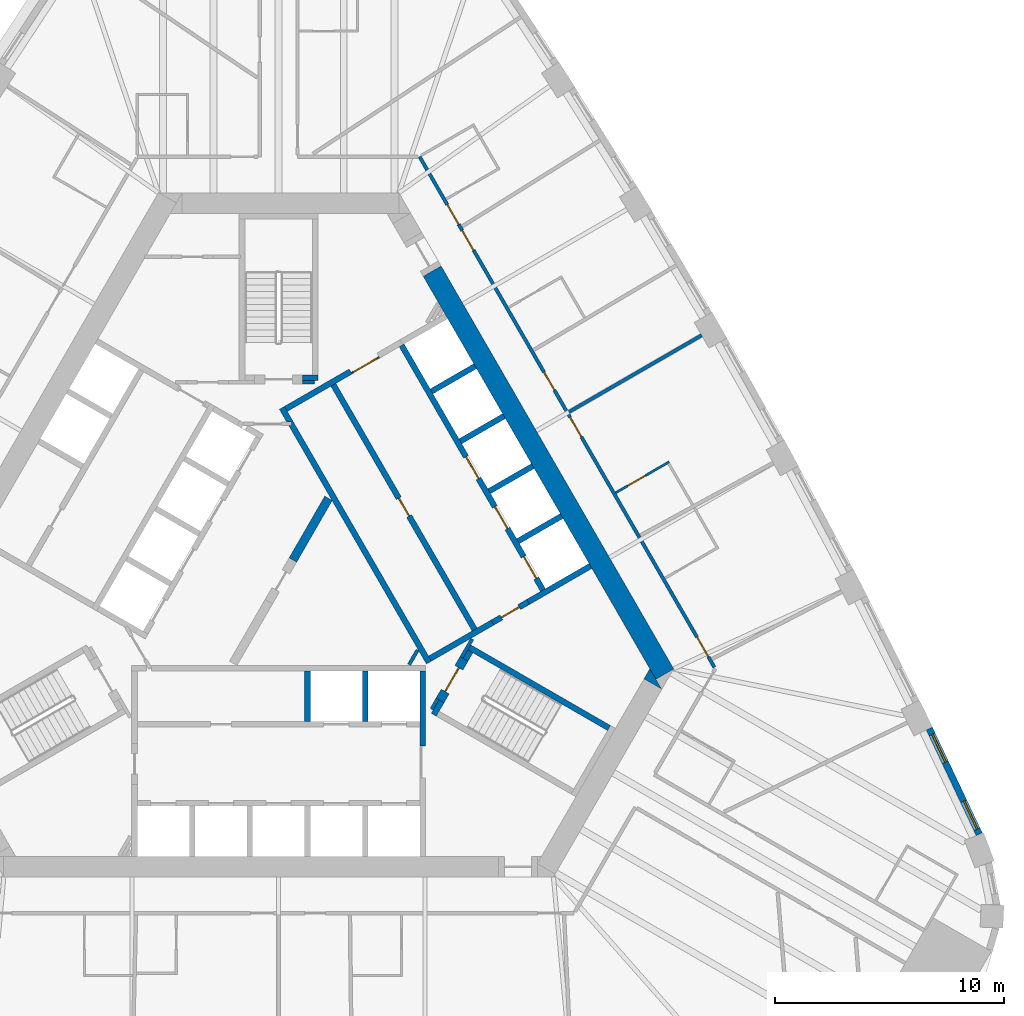
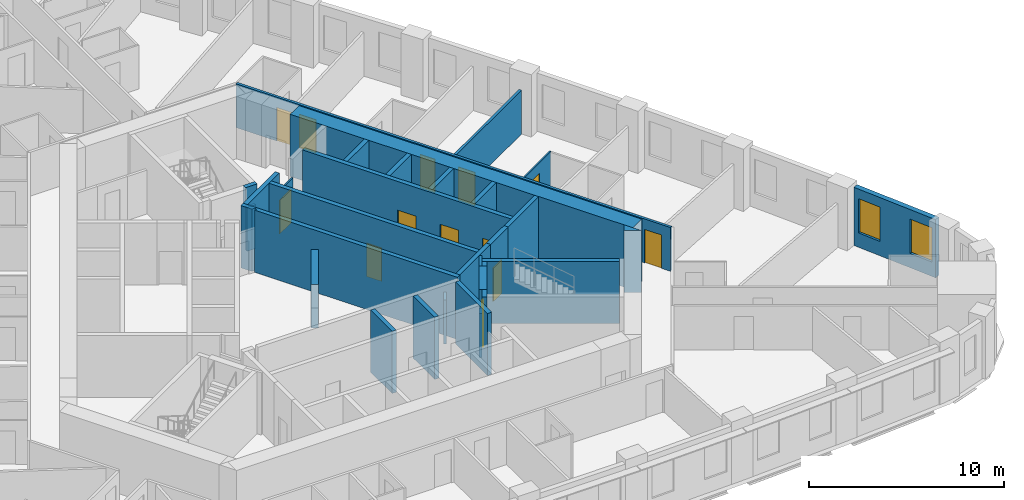
# One storey, part 8 of 12: 31 walls, 13 doors, 2 windows, 15 openings.
"""IFC4 building model written with IfcOpenShell, lengths in metres."""

from ifc_helpers import new_model, si_unit, direction, frame, frame_2d, origin, place, context, subcontext, project, spatial, polyline, rectangle, outline, extrude, material, layer, layer_set, type_object, element, fill, save


model = new_model("IFC4")

# Units and contexts
model_context = context("Model", 3, precision=1e-05, world=origin(), true_north=direction((0.0, 1.0)))
body_context = subcontext(model_context, "Body", "Model", "MODEL_VIEW")
ifc_project = project(units=[si_unit("LENGTHUNIT", "METRE"), si_unit("AREAUNIT", "SQUARE_METRE"), si_unit("VOLUMEUNIT", "CUBIC_METRE"), si_unit("PLANEANGLEUNIT", "RADIAN"), si_unit("MASSUNIT", "GRAM", prefix="KILO")], contexts=[model_context])

# Site, building, storey
site_placement = place(None, origin())
site = spatial("IfcSite", under=ifc_project, at=site_placement, CompositionType="ELEMENT")
building_placement = place(site_placement, origin())
building = spatial("IfcBuilding", under=site, at=building_placement, Name="Mestral Congress Tower", CompositionType="ELEMENT")
storey_placement = place(building_placement, frame((0.0, 0.0, 107.10009765625)))
storey = spatial("IfcBuildingStorey", under=building, at=storey_placement, Name="L25", CompositionType="ELEMENT", Elevation=107.10009765625)

# Walls
ifc_material_1 = material(Name="Fire-rated board partition")
ifc_layer_1 = layer(ifc_material_1, 0.14990234375)
ifc_layer_set_1 = layer_set([ifc_layer_1], Name="Fire-rated board partition")
wall_type_1 = type_object("IfcWallType", Name="Core partition 150", PredefinedType="PARTITIONING", material=ifc_layer_set_1)
wall_1_placement = place(storey_placement, frame((6.94482421875, -5.22216796875, 0.0), z_axis=(0.0, 0.0, 1.0), x_axis=(-0.499818422106, -0.866130212453, 0.0)))
element("IfcWall", 1, at=wall_1_placement, inside=storey, type_object=wall_type_1, Name="L25 core wall", PredefinedType="PARTITIONING", context=body_context, shape_type="SweptSolid", body=[
    extrude(rectangle(XDim=0.513916015625, YDim=0.14990234375, at=frame_2d((0.2568359375, 0.0))), origin(), (0.0, 0.0, 1.0), 2.75),
])
wall_2_placement = place(storey_placement, frame((5.704833984375, -3.718017578125, 0.0), z_axis=(0.0, 0.0, 1.0), x_axis=(0.499962090823, 0.866047289552, 0.0)))
element("IfcWall", 2, at=wall_2_placement, inside=storey, type_object=wall_type_1, Name="L25 core wall", PredefinedType="PARTITIONING", context=body_context, shape_type="SweptSolid", body=[
    extrude(rectangle(XDim=0.73486328125, YDim=0.14990234375, at=frame_2d((0.367431640625, 0.0))), origin(), (0.0, 0.0, 1.0), 2.75),
])
placement = place(storey_placement, origin())
element("IfcWall", 3, at=placement, inside=storey, type_object=wall_type_1, Name="L25 core wall", PredefinedType="PARTITIONING", context=body_context, shape_type="SweptSolid", body=[
    extrude(outline(polyline([(2.016845703125, 3.64306640625), (2.341552734375, 3.45556640625), (0.784912109375, 0.759521484375), (0.460205078125, 0.947021484375), (2.016845703125, 3.64306640625)])), origin(), (0.0, 0.0, 1.0), 2.75),
])
wall_4_placement = place(storey_placement, frame((1.050048828125, 8.62548828125, 0.0), z_axis=(0.0, 0.0, 1.0), x_axis=(1.0, 0.0, 0.0)))
element("IfcWall", 4, at=wall_4_placement, inside=storey, type_object=wall_type_1, Name="L25 core wall", PredefinedType="PARTITIONING", context=body_context, shape_type="SweptSolid", body=[
    extrude(rectangle(XDim=0.513916015625, YDim=0.14990234375, at=frame_2d((0.2568359375, 0.0))), origin(), (0.0, 0.0, 1.0), 2.75),
])

# Wall, opening, door
ifc_layer_2 = layer(ifc_material_1, 0.090087890625)
ifc_layer_set_2 = layer_set([ifc_layer_2], Name="Fire-rated board partition")
wall_type_2 = type_object("IfcWallType", Name="Core partition 150 door-wall 90", PredefinedType="PARTITIONING", material=ifc_layer_set_2)
wall_5_placement = place(storey_placement, frame((3.182861328125, 9.02001953125, 0.0), z_axis=(0.0, 0.0, 1.0), x_axis=(0.866034573852, 0.49998411664, 0.0)))
wall_5 = element("IfcWall", 5, at=wall_5_placement, inside=storey, type_object=wall_type_2, Name="L25 door wall", PredefinedType="PARTITIONING", context=body_context, shape_type="SweptSolid", body=[
    extrude(rectangle(XDim=1.39990234375, YDim=0.090087890625, at=frame_2d((0.699951171875, 0.0))), origin(), (0.0, 0.0, 1.0), 2.75),
])
opening_1_placement = place(wall_5_placement, frame((0.10009765625, 0.0, 0.0)))
opening_1 = element("IfcOpeningElement", 6, at=opening_1_placement, cuts=wall_5, Name="Opening LB1-WL2", PredefinedType="OPENING", context=body_context, shape_type="SweptSolid", body=[
    extrude(rectangle(XDim=1.199951171875, YDim=2.10009765625, at=frame_2d((0.60009765625, 1.050048828125))), frame((0.0, 0.054931640625, 0.0), z_axis=(0.0, -1.0, 0.0), x_axis=(1.0, 0.0, 0.0)), (0.0, 0.0, 1.0), 0.110107421875),
])
ifc_material_2 = material(Name="Fire-rated steel door set", Category="steel")
door_type_1 = type_object("IfcDoorType", Name="Core door LB 1200x2100", OperationType="SINGLE_SWING_LEFT", PredefinedType="DOOR", material=ifc_material_2)
door_1_placement = place(opening_1_placement, origin())
door_1 = element("IfcDoor", 7, at=door_1_placement, inside=storey, type_object=door_type_1, Name="Door LB1-WL2", OperationType="SINGLE_SWING_LEFT", OverallHeight=2.10009765625, OverallWidth=1.199951171875, PredefinedType="DOOR", context=body_context, shape_type="SweptSolid", body=[
    extrude(rectangle(XDim=1.199951171875, YDim=2.10009765625, at=frame_2d((0.60009765625, 1.050048828125))), frame((0.0, 0.02490234375, 0.0), z_axis=(0.0, -1.0, 0.0), x_axis=(1.0, 0.0, 0.0)), (0.0, 0.0, 1.0), 0.050048828125),
])
fill(opening_1, door_1)

# Walls
ifc_material_3 = material(Name="Concrete C60/75", Category="concrete")
ifc_layer_3 = layer(ifc_material_3, 0.89990234375)
ifc_layer_set_3 = layer_set([ifc_layer_3], Name="Concrete C60/75")
wall_type_3 = type_object("IfcWallType", Name="Core wall RC 900", PredefinedType="SOLIDWALL", material=ifc_layer_set_3)
wall_6_placement = place(storey_placement, frame((6.7109375, 13.476318359375, 0.0), z_axis=(0.0, 0.0, 1.0), x_axis=(0.500002723396, -0.866023831425, 0.0)))
element("IfcWall", 8, at=wall_6_placement, inside=storey, type_object=wall_type_3, Name="L25 core wall", PredefinedType="SOLIDWALL", context=body_context, shape_type="SweptSolid", body=[
    extrude(rectangle(XDim=20.333984375, YDim=0.89990234375, at=frame_2d((10.1669921875, 0.0))), origin(), (0.0, 0.0, 1.0), 3.89990234375),
])
element("IfcWall", 9, at=placement, inside=storey, type_object=wall_type_3, Name="L25 core wall", PredefinedType="SOLIDWALL", context=body_context, shape_type="SweptSolid", body=[
    extrude(outline(polyline([(16.223388671875, -3.900146484375), (16.731689453125, -4.780029296875), (15.969482421875, -4.340087890625), (16.223388671875, -3.900146484375)])), origin(), (0.0, 0.0, 1.0), 3.89990234375),
])

# Wall, openings, windows
ifc_material_4 = material(Name="Precast concrete C40/50 with limestone facing", Category="masonry")
ifc_layer_4 = layer(ifc_material_4, 0.2900390625)
ifc_layer_set_4 = layer_set([ifc_layer_4], Name="Precast concrete C40/50 with limestone facing")
wall_type_4 = type_object("IfcWallType", Name="Facade stone wall 290", PredefinedType="SOLIDWALL", material=ifc_layer_set_4)
wall_8_placement = place(storey_placement, frame((30.61962890625, -11.127197265625, 0.0), z_axis=(0.0, 0.0, 1.0), x_axis=(-0.427543726596, 0.903994669148, 0.0)))
wall_8 = element("IfcWall", 10, at=wall_8_placement, inside=storey, type_object=wall_type_4, Name="Facade wall F1-00", PredefinedType="SOLIDWALL", context=body_context, shape_type="SweptSolid", body=[
    extrude(rectangle(XDim=5.106689453125, YDim=0.2900390625, at=frame_2d((2.55322265625, 0.0))), origin(), (0.0, 0.0, 1.0), 3.64990234375),
])
opening_2_placement = place(wall_8_placement, frame((0.240478515625, 0.0, 0.89990234375)))
opening_2 = element("IfcOpeningElement", 11, at=opening_2_placement, cuts=wall_8, Name="Opening W2", PredefinedType="OPENING", context=body_context, shape_type="SweptSolid", body=[
    extrude(rectangle(XDim=1.35009765625, YDim=2.14990234375, at=frame_2d((0.675048828125, 1.074951171875))), frame((0.0, 0.155029296875, 0.0), z_axis=(0.0, -1.0, 0.0), x_axis=(1.0, 0.0, 0.0)), (0.0, 0.0, 1.0), 0.31005859375),
])
opening_3_placement = place(wall_8_placement, frame((3.47119140625, 0.0, 0.89990234375)))
opening_3 = element("IfcOpeningElement", 12, at=opening_3_placement, cuts=wall_8, Name="Opening W2", PredefinedType="OPENING", context=body_context, shape_type="SweptSolid", body=[
    extrude(rectangle(XDim=1.35009765625, YDim=2.14990234375, at=frame_2d((0.675048828125, 1.074951171875))), frame((0.0, 0.155029296875, 0.0), z_axis=(0.0, -1.0, 0.0), x_axis=(1.0, 0.0, 0.0)), (0.0, 0.0, 1.0), 0.31005859375),
])
ifc_material_5 = material(Name="Clear low-emissivity double glazing", Category="glass")
window_type = type_object("IfcWindowType", Name="Facade punched window 1350 x 2150 sill 900", PartitioningType="DOUBLE_PANEL_VERTICAL", PredefinedType="WINDOW", material=ifc_material_5)
window_1_placement = place(opening_2_placement, origin())
window_1 = element("IfcWindow", 13, at=window_1_placement, inside=storey, type_object=window_type, Name="Window F1-00a", OverallHeight=2.14990234375, OverallWidth=1.35009765625, PartitioningType="DOUBLE_PANEL_VERTICAL", PredefinedType="WINDOW", context=body_context, shape_type="SweptSolid", body=[
    extrude(rectangle(XDim=1.35009765625, YDim=2.14990234375, at=frame_2d((0.675048828125, 1.074951171875))), frame((0.0, 0.01513671875, 0.0), z_axis=(0.0, -1.0, 0.0), x_axis=(1.0, 0.0, 0.0)), (0.0, 0.0, 1.0), 0.06005859375),
])
fill(opening_2, window_1)
window_2_placement = place(opening_3_placement, origin())
window_2 = element("IfcWindow", 14, at=window_2_placement, inside=storey, type_object=window_type, Name="Window F1-00b", OverallHeight=2.14990234375, OverallWidth=1.35009765625, PartitioningType="DOUBLE_PANEL_VERTICAL", PredefinedType="WINDOW", context=body_context, shape_type="SweptSolid", body=[
    extrude(rectangle(XDim=1.35009765625, YDim=2.14990234375, at=frame_2d((0.675048828125, 1.074951171875))), frame((0.0, 0.01513671875, 0.0), z_axis=(0.0, -1.0, 0.0), x_axis=(1.0, 0.0, 0.0)), (0.0, 0.0, 1.0), 0.06005859375),
])
fill(opening_3, window_2)

# Wall, opening, door
ifc_material_6 = material(Name="Gypsum board partition on metal studs with mineral wool", Category="composite")
ifc_layer_5 = layer(ifc_material_6, 0.10009765625)
ifc_layer_set_5 = layer_set([ifc_layer_5], Name="Gypsum board partition on metal studs with mineral wool")
wall_type_5 = type_object("IfcWallType", Name="Hotel partition wall 100", PredefinedType="PARTITIONING", material=ifc_layer_set_5)
wall_9_placement = place(storey_placement, frame((17.065673828125, 5.141357421875, 0.0), z_axis=(0.0, 0.0, 1.0), x_axis=(-0.866059108428, -0.4999416173, 0.0)))
wall_9 = element("IfcWall", 15, at=wall_9_placement, inside=storey, type_object=wall_type_5, Name="L25-h-pod11a", PredefinedType="PARTITIONING", context=body_context, shape_type="SweptSolid", body=[
    extrude(rectangle(XDim=2.699951171875, YDim=0.10009765625, at=frame_2d((1.35009765625, 0.0))), origin(), (0.0, 0.0, 1.0), 2.75),
])
opening_4_placement = place(wall_9_placement, frame((1.199951171875, 0.0, 0.0)))
opening_4 = element("IfcOpeningElement", 16, at=opening_4_placement, cuts=wall_9, Name="Opening H08-019", PredefinedType="OPENING", context=body_context, shape_type="SweptSolid", body=[
    extrude(rectangle(XDim=0.89990234375, YDim=2.10009765625, at=frame_2d((0.449951171875, 1.050048828125))), frame((0.0, 0.06005859375, 0.0), z_axis=(0.0, -1.0, 0.0), x_axis=(1.0, 0.0, 0.0)), (0.0, 0.0, 1.0), 0.1201171875),
])
ifc_material_7 = material(Name="Timber veneer door leaf in timber frame", Category="wood")
door_type_2 = type_object("IfcDoorType", Name="Bathroom door 900", OperationType="SINGLE_SWING_LEFT", PredefinedType="DOOR", material=ifc_material_7)
door_2_placement = place(opening_4_placement, origin())
door_2 = element("IfcDoor", 17, at=door_2_placement, inside=storey, type_object=door_type_2, Name="L25-h-d019", OperationType="SINGLE_SWING_LEFT", OverallHeight=2.10009765625, OverallWidth=0.89990234375, PredefinedType="DOOR", context=body_context, shape_type="SweptSolid", body=[
    extrude(rectangle(XDim=0.89990234375, YDim=2.10009765625, at=frame_2d((0.449951171875, 1.050048828125))), frame((0.0, 0.02490234375, 0.0), z_axis=(0.0, -1.0, 0.0), x_axis=(1.0, 0.0, 0.0)), (0.0, 0.0, 1.0), 0.050048828125),
])
fill(opening_4, door_2)

# Wall, openings, doors
ifc_layer_6 = layer(ifc_material_6, 0.14990234375)
ifc_layer_set_6 = layer_set([ifc_layer_6], Name="Gypsum board partition on metal studs with mineral wool")
wall_type_6 = type_object("IfcWallType", Name="Hotel partition wall 150", PredefinedType="PARTITIONING", material=ifc_layer_set_6)
wall_10_placement = place(storey_placement, frame((6.1630859375, 18.47509765625, 0.0), z_axis=(0.0, 0.0, 1.0), x_axis=(0.500001317485, -0.866024643133, 0.0)))
wall_10 = element("IfcWall", 18, at=wall_10_placement, inside=storey, type_object=wall_type_6, Name="L25-h-cw03", PredefinedType="PARTITIONING", context=body_context, shape_type="SweptSolid", body=[
    extrude(rectangle(XDim=25.7666015625, YDim=0.14990234375, at=frame_2d((12.88330078125, 0.0))), origin(), (0.0, 0.0, 1.0), 2.75),
])
opening_5_placement = place(wall_10_placement, frame((24.24072265625, 0.0, 0.0)))
opening_5 = element("IfcOpeningElement", 19, at=opening_5_placement, cuts=wall_10, Name="Opening H08-016", PredefinedType="OPENING", context=body_context, shape_type="SweptSolid", body=[
    extrude(rectangle(XDim=1.0, YDim=2.10009765625, at=frame_2d((0.5, 1.050048828125))), frame((0.0, 0.0849609375, 0.0), z_axis=(0.0, -1.0, 0.0), x_axis=(1.0, 0.0, 0.0)), (0.0, 0.0, 1.0), 0.169921875),
])
opening_6_placement = place(wall_10_placement, frame((13.143798828125, 0.0, 0.0)))
opening_6 = element("IfcOpeningElement", 20, at=opening_6_placement, cuts=wall_10, Name="Opening H08-018", PredefinedType="OPENING", context=body_context, shape_type="SweptSolid", body=[
    extrude(rectangle(XDim=1.0, YDim=2.10009765625, at=frame_2d((0.5, 1.050048828125))), frame((0.0, 0.0849609375, 0.0), z_axis=(0.0, -1.0, 0.0), x_axis=(1.0, 0.0, 0.0)), (0.0, 0.0, 1.0), 0.169921875),
])
opening_7_placement = place(wall_10_placement, frame((10.873779296875, 0.0, 0.0)))
opening_7 = element("IfcOpeningElement", 21, at=opening_7_placement, cuts=wall_10, Name="Opening H08-020", PredefinedType="OPENING", context=body_context, shape_type="SweptSolid", body=[
    extrude(rectangle(XDim=0.89990234375, YDim=2.10009765625, at=frame_2d((0.449951171875, 1.050048828125))), frame((0.0, 0.0849609375, 0.0), z_axis=(0.0, -1.0, 0.0), x_axis=(1.0, 0.0, 0.0)), (0.0, 0.0, 1.0), 0.169921875),
])
opening_8_placement = place(wall_10_placement, frame((3.718017578125, 0.0, 0.0)))
opening_8 = element("IfcOpeningElement", 22, at=opening_8_placement, cuts=wall_10, Name="Opening H08-021", PredefinedType="OPENING", context=body_context, shape_type="SweptSolid", body=[
    extrude(rectangle(XDim=1.0, YDim=2.10009765625, at=frame_2d((0.5, 1.050048828125))), frame((0.0, 0.0849609375, 0.0), z_axis=(0.0, -1.0, 0.0), x_axis=(1.0, 0.0, 0.0)), (0.0, 0.0, 1.0), 0.169921875),
])
opening_9_placement = place(wall_10_placement, frame((2.410888671875, 0.0, 0.0)))
opening_9 = element("IfcOpeningElement", 23, at=opening_9_placement, cuts=wall_10, Name="Opening H08-023", PredefinedType="OPENING", context=body_context, shape_type="SweptSolid", body=[
    extrude(rectangle(XDim=1.0, YDim=2.10009765625, at=frame_2d((0.5, 1.050048828125))), frame((0.0, 0.0849609375, 0.0), z_axis=(0.0, -1.0, 0.0), x_axis=(1.0, 0.0, 0.0)), (0.0, 0.0, 1.0), 0.169921875),
])
ifc_material_8 = material(Name="Timber veneer door leaf in metal frame", Category="wood")
door_type_3 = type_object("IfcDoorType", Name="Guest room entrance door 1000", OperationType="SINGLE_SWING_LEFT", PredefinedType="DOOR", material=ifc_material_8)
door_3_placement = place(opening_5_placement, origin())
door_3 = element("IfcDoor", 24, at=door_3_placement, inside=storey, type_object=door_type_3, Name="L25-h-d016", OperationType="SINGLE_SWING_RIGHT", OverallHeight=2.10009765625, OverallWidth=1.0, PredefinedType="DOOR", context=body_context, shape_type="SweptSolid", body=[
    extrude(rectangle(XDim=1.0, YDim=2.10009765625, at=frame_2d((0.5, 1.050048828125))), frame((0.0, 0.02490234375, 0.0), z_axis=(0.0, -1.0, 0.0), x_axis=(1.0, 0.0, 0.0)), (0.0, 0.0, 1.0), 0.050048828125),
])
fill(opening_5, door_3)
door_4_placement = place(opening_6_placement, origin())
door_4 = element("IfcDoor", 25, at=door_4_placement, inside=storey, type_object=door_type_3, Name="L25-h-d018", OperationType="SINGLE_SWING_LEFT", OverallHeight=2.10009765625, OverallWidth=1.0, PredefinedType="DOOR", context=body_context, shape_type="SweptSolid", body=[
    extrude(rectangle(XDim=1.0, YDim=2.10009765625, at=frame_2d((0.5, 1.050048828125))), frame((0.0, 0.02490234375, 0.0), z_axis=(0.0, -1.0, 0.0), x_axis=(1.0, 0.0, 0.0)), (0.0, 0.0, 1.0), 0.050048828125),
])
fill(opening_6, door_4)
door_5_placement = place(opening_8_placement, origin())
door_5 = element("IfcDoor", 26, at=door_5_placement, inside=storey, type_object=door_type_3, Name="L25-h-d021", OperationType="SINGLE_SWING_LEFT", OverallHeight=2.10009765625, OverallWidth=1.0, PredefinedType="DOOR", context=body_context, shape_type="SweptSolid", body=[
    extrude(rectangle(XDim=1.0, YDim=2.10009765625, at=frame_2d((0.5, 1.050048828125))), frame((0.0, 0.02490234375, 0.0), z_axis=(0.0, -1.0, 0.0), x_axis=(1.0, 0.0, 0.0)), (0.0, 0.0, 1.0), 0.050048828125),
])
fill(opening_8, door_5)
door_6_placement = place(opening_9_placement, origin())
door_6 = element("IfcDoor", 27, at=door_6_placement, inside=storey, type_object=door_type_3, Name="L25-h-d023", OperationType="SINGLE_SWING_RIGHT", OverallHeight=2.10009765625, OverallWidth=1.0, PredefinedType="DOOR", context=body_context, shape_type="SweptSolid", body=[
    extrude(rectangle(XDim=1.0, YDim=2.10009765625, at=frame_2d((0.5, 1.050048828125))), frame((0.0, 0.02490234375, 0.0), z_axis=(0.0, -1.0, 0.0), x_axis=(1.0, 0.0, 0.0)), (0.0, 0.0, 1.0), 0.050048828125),
])
fill(opening_9, door_6)
door_type_4 = type_object("IfcDoorType", Name="Service room door 900", OperationType="SINGLE_SWING_LEFT", PredefinedType="DOOR", material=ifc_material_8)
door_7_placement = place(opening_7_placement, origin())
door_7 = element("IfcDoor", 28, at=door_7_placement, inside=storey, type_object=door_type_4, Name="L25-h-d020", OperationType="SINGLE_SWING_RIGHT", OverallHeight=2.10009765625, OverallWidth=0.89990234375, PredefinedType="DOOR", context=body_context, shape_type="SweptSolid", body=[
    extrude(rectangle(XDim=0.89990234375, YDim=2.10009765625, at=frame_2d((0.449951171875, 1.050048828125))), frame((0.0, 0.02490234375, 0.0), z_axis=(0.0, -1.0, 0.0), x_axis=(1.0, 0.0, 0.0)), (0.0, 0.0, 1.0), 0.050048828125),
])
fill(opening_7, door_7)

# Walls
wall_11_placement = place(storey_placement, frame((18.484130859375, 10.671875, 0.0), z_axis=(0.0, 0.0, 1.0), x_axis=(-0.866019162053, -0.50001081084, 0.0)))
element("IfcWall", 29, at=wall_11_placement, inside=storey, type_object=wall_type_6, Name="L25-h-pw21", PredefinedType="PARTITIONING", context=body_context, shape_type="SweptSolid", body=[
    extrude(rectangle(XDim=6.693603515625, YDim=0.14990234375, at=frame_2d((3.3466796875, 0.0))), origin(), (0.0, 0.0, 1.0), 2.75),
])
ifc_layer_7 = layer(ifc_material_3, 0.25)
ifc_layer_set_7 = layer_set([ifc_layer_7], Name="Concrete C60/75")
wall_type_7 = type_object("IfcWallType", Name="Shaft wall RC 250", PredefinedType="SOLIDWALL", material=ifc_layer_set_7)
wall_12_placement = place(storey_placement, frame((6.300048828125, -7.26806640625, 0.0), z_axis=(0.0, 0.0, 1.0), x_axis=(0.0, 1.0, 0.0)))
element("IfcWall", 30, at=wall_12_placement, inside=storey, type_object=wall_type_7, Name="L25 core wall", PredefinedType="SOLIDWALL", context=body_context, shape_type="SweptSolid", body=[
    extrude(rectangle(XDim=3.26806640625, YDim=0.25, at=frame_2d((1.634033203125, 0.0))), origin(), (0.0, 0.0, 1.0), 3.89990234375),
])
for number, where, z_axis, x_axis, name in (
    (31, (3.780029296875, -4.0, 0.0), (0.0, 0.0, 1.0), (0.0, -1.0, 0.0), "L25 core wall"),
    (32, (1.260009765625, -4.0, 0.0), (0.0, 0.0, 1.0), (0.0, -1.0, 0.0), "L25 core wall"),
    (33, (10.463623046875, 1.676513671875, 0.0), (0.0, 0.0, 1.0), (0.86605622881, 0.499946605688, 0.0), "L25 core wall"),
):
    element("IfcWall", number, at=place(storey_placement, frame(where, z_axis=z_axis, x_axis=x_axis)), inside=storey, type_object=wall_type_7, Name=name, PredefinedType="SOLIDWALL", context=body_context, shape_type="SweptSolid", body=[
        extrude(rectangle(XDim=2.199951171875, YDim=0.25, at=frame_2d((1.10009765625, 0.0))), origin(), (0.0, 0.0, 1.0), 3.89990234375),
    ])
wall_13_placement = place(storey_placement, frame((13.62890625, 0.593994140625, 0.0), z_axis=(0.0, 0.0, 1.0), x_axis=(-0.86602790099, -0.499995674689, 0.0)))
element("IfcWall", 34, at=wall_13_placement, inside=storey, type_object=wall_type_7, Name="L25 core wall", PredefinedType="SOLIDWALL", context=body_context, shape_type="SweptSolid", body=[
    extrude(rectangle(XDim=3.1455078125, YDim=0.25, at=frame_2d((1.57275390625, 0.0))), origin(), (0.0, 0.0, 1.0), 3.89990234375),
])
element("IfcWall", 35, at=placement, inside=storey, type_object=wall_type_7, Name="L25 core wall", PredefinedType="SOLIDWALL", context=body_context, shape_type="SweptSolid", body=[
    extrude(outline(polyline([(0.565673828125, 6.72509765625), (0.565673828125, 6.875), (0.565673828125, 6.875), (0.5654296875, 6.875), (0.36083984375, 6.875), (0.03515625, 7.439208984375), (0.251708984375, 7.564208984375), (0.376708984375, 7.34765625), (6.551513671875, -3.34765625), (6.676513671875, -3.564208984375), (6.460205078125, -3.689208984375), (0.447509765625, 6.724853515625), (0.5654296875, 6.724853515625), (0.565673828125, 6.724853515625), (0.565673828125, 6.72509765625)])), origin(), (0.0, 0.0, 1.0), 3.89990234375),
])
wall_15_placement = place(storey_placement, frame((0.314208984375, 7.455810546875, 0.0), z_axis=(0.0, 0.0, 1.0), x_axis=(0.866013897511, 0.50001992892, 0.0)))
element("IfcWall", 36, at=wall_15_placement, inside=storey, type_object=wall_type_7, Name="L25 core wall", PredefinedType="SOLIDWALL", context=body_context, shape_type="SweptSolid", body=[
    extrude(rectangle(XDim=3.267822265625, YDim=0.25, at=frame_2d((1.6337890625, 0.0))), origin(), (0.0, 0.0, 1.0), 3.89990234375),
])
wall_16_placement = place(storey_placement, frame((6.614013671875, -3.4560546875, 0.0), z_axis=(0.0, 0.0, 1.0), x_axis=(0.86602447079, 0.500001615989, 0.0)))
element("IfcWall", 37, at=wall_16_placement, inside=storey, type_object=wall_type_7, Name="L25 core wall", PredefinedType="SOLIDWALL", context=body_context, shape_type="SweptSolid", body=[
    extrude(rectangle(XDim=3.154296875, YDim=0.25, at=frame_2d((1.5771484375, 0.0))), origin(), (0.0, 0.0, 1.0), 3.89990234375),
])
for number, where, z_axis, x_axis, name in (
    (38, (6.68359375, 8.2236328125, 0.0), (0.0, 0.0, 1.0), (0.86605622881, 0.499946605688, 0.0), "L25 core wall"),
    (39, (7.943603515625, 6.041259765625, 0.0), (0.0, 0.0, 1.0), (0.86605622881, 0.499946605688, 0.0), "L25 core wall"),
    (40, (9.20361328125, 3.85888671875, 0.0), (0.0, 0.0, 1.0), (0.86605622881, 0.499946605688, 0.0), "L25 core wall"),
):
    element("IfcWall", number, at=place(storey_placement, frame(where, z_axis=z_axis, x_axis=x_axis)), inside=storey, type_object=wall_type_7, Name=name, PredefinedType="SOLIDWALL", context=body_context, shape_type="SweptSolid", body=[
        extrude(rectangle(XDim=2.199951171875, YDim=0.25, at=frame_2d((1.10009765625, 0.0))), origin(), (0.0, 0.0, 1.0), 3.89990234375),
    ])

# Wall, openings, doors
wall_17_placement = place(storey_placement, frame((11.552978515625, -0.460205078125, 0.0), z_axis=(0.0, 0.0, 1.0), x_axis=(-0.500006514828, 0.866021642414, 0.0)))
wall_17 = element("IfcWall", 41, at=wall_17_placement, inside=storey, type_object=wall_type_7, Name="L25 door wall", PredefinedType="SOLIDWALL", context=body_context, shape_type="SweptSolid", body=[
    extrude(rectangle(XDim=12.349853515625, YDim=0.25, at=frame_2d((6.1748046875, 0.0))), origin(), (0.0, 0.0, 1.0), 3.89990234375),
])
opening_10_placement = place(wall_17_placement, frame((0.5849609375, 0.0, 0.0)))
opening_10 = element("IfcOpeningElement", 42, at=opening_10_placement, cuts=wall_17, Name="Opening LD-NEA1", PredefinedType="OPENING", context=body_context, shape_type="SweptSolid", body=[
    extrude(rectangle(XDim=1.10009765625, YDim=2.10009765625, at=frame_2d((0.550048828125, 1.050048828125))), frame((0.0, 0.135009765625, 0.0), z_axis=(0.0, -1.0, 0.0), x_axis=(1.0, 0.0, 0.0)), (0.0, 0.0, 1.0), 0.27001953125),
])
opening_11_placement = place(wall_17_placement, frame((3.10498046875, 0.0, 0.0)))
opening_11 = element("IfcOpeningElement", 43, at=opening_11_placement, cuts=wall_17, Name="Opening LD-NEA2", PredefinedType="OPENING", context=body_context, shape_type="SweptSolid", body=[
    extrude(rectangle(XDim=1.10009765625, YDim=2.10009765625, at=frame_2d((0.550048828125, 1.050048828125))), frame((0.0, 0.135009765625, 0.0), z_axis=(0.0, -1.0, 0.0), x_axis=(1.0, 0.0, 0.0)), (0.0, 0.0, 1.0), 0.27001953125),
])
opening_12_placement = place(wall_17_placement, frame((5.625, 0.0, 0.0)))
opening_12 = element("IfcOpeningElement", 44, at=opening_12_placement, cuts=wall_17, Name="Opening LD-NEA3", PredefinedType="OPENING", context=body_context, shape_type="SweptSolid", body=[
    extrude(rectangle(XDim=1.10009765625, YDim=2.10009765625, at=frame_2d((0.550048828125, 1.050048828125))), frame((0.0, 0.135009765625, 0.0), z_axis=(0.0, -1.0, 0.0), x_axis=(1.0, 0.0, 0.0)), (0.0, 0.0, 1.0), 0.27001953125),
])
door_type_5 = type_object("IfcDoorType", Name="Core door LD 1100x2100", OperationType="DOUBLE_DOOR_SLIDING", PredefinedType="DOOR", material=ifc_material_2)
door_8_placement = place(opening_10_placement, origin())
door_8 = element("IfcDoor", 45, at=door_8_placement, inside=storey, type_object=door_type_5, Name="Door LD-NEA1", OperationType="DOUBLE_DOOR_SLIDING", OverallHeight=2.10009765625, OverallWidth=1.10009765625, PredefinedType="DOOR", context=body_context, shape_type="SweptSolid", body=[
    extrude(rectangle(XDim=1.10009765625, YDim=2.10009765625, at=frame_2d((0.550048828125, 1.050048828125))), frame((0.0, 0.02490234375, 0.0), z_axis=(0.0, -1.0, 0.0), x_axis=(1.0, 0.0, 0.0)), (0.0, 0.0, 1.0), 0.050048828125),
])
fill(opening_10, door_8)
door_9_placement = place(opening_11_placement, origin())
door_9 = element("IfcDoor", 46, at=door_9_placement, inside=storey, type_object=door_type_5, Name="Door LD-NEA2", OperationType="DOUBLE_DOOR_SLIDING", OverallHeight=2.10009765625, OverallWidth=1.10009765625, PredefinedType="DOOR", context=body_context, shape_type="SweptSolid", body=[
    extrude(rectangle(XDim=1.10009765625, YDim=2.10009765625, at=frame_2d((0.550048828125, 1.050048828125))), frame((0.0, 0.02490234375, 0.0), z_axis=(0.0, -1.0, 0.0), x_axis=(1.0, 0.0, 0.0)), (0.0, 0.0, 1.0), 0.050048828125),
])
fill(opening_11, door_9)
door_10_placement = place(opening_12_placement, origin())
door_10 = element("IfcDoor", 47, at=door_10_placement, inside=storey, type_object=door_type_5, Name="Door LD-NEA3", OperationType="DOUBLE_DOOR_SLIDING", OverallHeight=2.10009765625, OverallWidth=1.10009765625, PredefinedType="DOOR", context=body_context, shape_type="SweptSolid", body=[
    extrude(rectangle(XDim=1.10009765625, YDim=2.10009765625, at=frame_2d((0.550048828125, 1.050048828125))), frame((0.0, 0.02490234375, 0.0), z_axis=(0.0, -1.0, 0.0), x_axis=(1.0, 0.0, 0.0)), (0.0, 0.0, 1.0), 0.050048828125),
])
fill(opening_12, door_10)

# Wall, opening, door
wall_18_placement = place(storey_placement, frame((8.565185546875, -2.185302734375, 0.0), z_axis=(0.0, 0.0, 1.0), x_axis=(-0.499997954832, 0.866026584559, 0.0)))
wall_18 = element("IfcWall", 48, at=wall_18_placement, inside=storey, type_object=wall_type_7, Name="L25 door wall", PredefinedType="SOLIDWALL", context=body_context, shape_type="SweptSolid", body=[
    extrude(rectangle(XDim=12.35009765625, YDim=0.25, at=frame_2d((6.175048828125, 0.0))), origin(), (0.0, 0.0, 1.0), 3.89990234375),
])
opening_13_placement = place(wall_18_placement, frame((5.72509765625, 0.0, 0.0)))
opening_13 = element("IfcOpeningElement", 49, at=opening_13_placement, cuts=wall_18, Name="Opening SR-NEB1", PredefinedType="OPENING", context=body_context, shape_type="SweptSolid", body=[
    extrude(rectangle(XDim=0.89990234375, YDim=2.10009765625, at=frame_2d((0.449951171875, 1.050048828125))), frame((0.0, 0.135009765625, 0.0), z_axis=(0.0, -1.0, 0.0), x_axis=(1.0, 0.0, 0.0)), (0.0, 0.0, 1.0), 0.27001953125),
])
door_type_6 = type_object("IfcDoorType", Name="Core door SR 900x2100", OperationType="SINGLE_SWING_LEFT", PredefinedType="DOOR", material=ifc_material_2)
door_11_placement = place(opening_13_placement, origin())
door_11 = element("IfcDoor", 50, at=door_11_placement, inside=storey, type_object=door_type_6, Name="Door SR-NEB1", OperationType="SINGLE_SWING_LEFT", OverallHeight=2.10009765625, OverallWidth=0.89990234375, PredefinedType="DOOR", context=body_context, shape_type="SweptSolid", body=[
    extrude(rectangle(XDim=0.89990234375, YDim=2.10009765625, at=frame_2d((0.449951171875, 1.050048828125))), frame((0.0, 0.02490234375, 0.0), z_axis=(0.0, -1.0, 0.0), x_axis=(1.0, 0.0, 0.0)), (0.0, 0.0, 1.0), 0.050048828125),
])
fill(opening_13, door_11)

wall_19_placement = place(storey_placement, frame((9.345947265625, -1.878662109375, 0.0), z_axis=(0.0, 0.0, 1.0), x_axis=(0.866047807691, 0.499961193289, 0.0)))
wall_19 = element("IfcWall", 51, at=wall_19_placement, inside=storey, type_object=wall_type_7, Name="L25 door wall", PredefinedType="SOLIDWALL", context=body_context, shape_type="SweptSolid", body=[
    extrude(rectangle(XDim=1.800048828125, YDim=0.25, at=frame_2d((0.89990234375, 0.0))), origin(), (0.0, 0.0, 1.0), 3.89990234375),
])
opening_14_placement = place(wall_19_placement, frame((0.449951171875, 0.0, 0.0)))
opening_14 = element("IfcOpeningElement", 52, at=opening_14_placement, cuts=wall_19, Name="Opening TD1", PredefinedType="OPENING", context=body_context, shape_type="SweptSolid", body=[
    extrude(rectangle(XDim=0.89990234375, YDim=2.10009765625, at=frame_2d((0.449951171875, 1.050048828125))), frame((0.0, 0.135009765625, 0.0), z_axis=(0.0, -1.0, 0.0), x_axis=(1.0, 0.0, 0.0)), (0.0, 0.0, 1.0), 0.27001953125),
])
door_12_placement = place(opening_14_placement, origin())
door_12 = element("IfcDoor", 53, at=door_12_placement, inside=storey, type_object=door_type_6, Name="Door TD1", OperationType="SINGLE_SWING_LEFT", OverallHeight=2.10009765625, OverallWidth=0.89990234375, PredefinedType="DOOR", context=body_context, shape_type="SweptSolid", body=[
    extrude(rectangle(XDim=0.89990234375, YDim=2.10009765625, at=frame_2d((0.449951171875, 1.050048828125))), frame((0.0, 0.02490234375, 0.0), z_axis=(0.0, -1.0, 0.0), x_axis=(1.0, 0.0, 0.0)), (0.0, 0.0, 1.0), 0.050048828125),
])
fill(opening_14, door_12)

# Walls
ifc_layer_8 = layer(ifc_material_3, 0.14990234375)
ifc_layer_set_8 = layer_set([ifc_layer_8], Name="Concrete C60/75")
wall_type_8 = type_object("IfcWallType", Name="Shaft wall RC 250 door-wall 150", PredefinedType="SOLIDWALL", material=ifc_layer_set_8)
wall_20_placement = place(storey_placement, frame((8.459228515625, -2.59912109375, 0.0), z_axis=(0.0, 0.0, 1.0), x_axis=(-0.500041054325, -0.866001699761, 0.0)))
element("IfcWall", 54, at=wall_20_placement, inside=storey, type_object=wall_type_8, Name="L25 core wall", PredefinedType="PARTITIONING", context=body_context, shape_type="SweptSolid", body=[
    extrude(rectangle(XDim=0.9287109375, YDim=0.14990234375, at=frame_2d((0.46435546875, 0.0))), origin(), (0.0, 0.0, 1.0), 3.89990234375),
])
ifc_layer_9 = layer(ifc_material_3, 0.25)
ifc_layer_set_9 = layer_set([ifc_layer_9], Name="Concrete C60/75")
wall_type_9 = type_object("IfcWallType", Name="Stair wall RC 250", PredefinedType="SOLIDWALL", material=ifc_layer_set_9)
wall_21_placement = place(storey_placement, frame((6.780029296875, -5.906494140625, 0.0), z_axis=(0.0, 0.0, 1.0), x_axis=(0.500223362819, 0.865896406789, 0.0)))
element("IfcWall", 55, at=wall_21_placement, inside=storey, type_object=wall_type_9, Name="L25 core wall", PredefinedType="SOLIDWALL", context=body_context, shape_type="SweptSolid", body=[
    extrude(rectangle(XDim=0.675048828125, YDim=0.25, at=frame_2d((0.33740234375, 0.0))), origin(), (0.0, 0.0, 1.0), 3.89990234375),
])
wall_22_placement = place(storey_placement, frame((8.33447265625, -2.96435546875, 0.0), z_axis=(0.0, 0.0, 1.0), x_axis=(0.866016039709, -0.500016218704, 0.0)))
element("IfcWall", 56, at=wall_22_placement, inside=storey, type_object=wall_type_9, Name="L25 core wall", PredefinedType="SOLIDWALL", context=body_context, shape_type="SweptSolid", body=[
    extrude(rectangle(XDim=7.050048828125, YDim=0.25, at=frame_2d((3.52490234375, 0.0))), origin(), (0.0, 0.0, 1.0), 3.89990234375),
])
wall_23_placement = place(storey_placement, frame((8.167724609375, -3.503173828125, 0.0), z_axis=(0.0, 0.0, 1.0), x_axis=(0.49972245349, 0.866185586049, 0.0)))
element("IfcWall", 57, at=wall_23_placement, inside=storey, type_object=wall_type_9, Name="L25 core wall", PredefinedType="SOLIDWALL", context=body_context, shape_type="SweptSolid", body=[
    extrude(rectangle(XDim=0.425048828125, YDim=0.25, at=frame_2d((0.21240234375, 0.0))), origin(), (0.0, 0.0, 1.0), 3.89990234375),
])
wall_24_placement = place(storey_placement, frame((1.050048828125, 8.824951171875, 0.0), z_axis=(0.0, 0.0, 1.0), x_axis=(1.0, 0.0, 0.0)))
element("IfcWall", 58, at=wall_24_placement, inside=storey, type_object=wall_type_9, Name="L25 core wall", PredefinedType="SOLIDWALL", context=body_context, shape_type="SweptSolid", body=[
    extrude(rectangle(XDim=0.675048828125, YDim=0.25, at=frame_2d((0.33740234375, 0.0))), origin(), (0.0, 0.0, 1.0), 3.89990234375),
])

# Wall, opening, door
ifc_layer_10 = layer(ifc_material_3, 0.39990234375)
ifc_layer_set_10 = layer_set([ifc_layer_10], Name="Concrete C60/75")
wall_type_10 = type_object("IfcWallType", Name="Stair wall RC 250 door-wall 400", PredefinedType="SOLIDWALL", material=ifc_layer_set_10)
wall_25_placement = place(storey_placement, frame((7.052734375, -5.2841796875, 0.0), z_axis=(0.0, 0.0, 1.0), x_axis=(0.500078061341, 0.865980330357, 0.0)))
wall_25 = element("IfcWall", 59, at=wall_25_placement, inside=storey, type_object=wall_type_10, Name="L25 door wall", PredefinedType="SOLIDWALL", context=body_context, shape_type="SweptSolid", body=[
    extrude(rectangle(XDim=2.099853515625, YDim=0.39990234375, at=frame_2d((1.0498046875, 0.0))), origin(), (0.0, 0.0, 1.0), 3.89990234375),
])
opening_15_placement = place(wall_25_placement, frame((0.449951171875, 0.0, 0.0)))
opening_15 = element("IfcOpeningElement", 60, at=opening_15_placement, cuts=wall_25, Name="Opening ST-D1", PredefinedType="OPENING", context=body_context, shape_type="SweptSolid", body=[
    extrude(rectangle(XDim=1.199951171875, YDim=2.10009765625, at=frame_2d((0.60009765625, 1.050048828125))), frame((0.0, 0.2099609375, 0.0), z_axis=(0.0, -1.0, 0.0), x_axis=(1.0, 0.0, 0.0)), (0.0, 0.0, 1.0), 0.419921875),
])
door_type_7 = type_object("IfcDoorType", Name="Core door ST 1200x2100", OperationType="SINGLE_SWING_LEFT", PredefinedType="DOOR", material=ifc_material_2)
door_13_placement = place(opening_15_placement, origin())
door_13 = element("IfcDoor", 61, at=door_13_placement, inside=storey, type_object=door_type_7, Name="Door ST-D1", OperationType="SINGLE_SWING_LEFT", OverallHeight=2.10009765625, OverallWidth=1.199951171875, PredefinedType="DOOR", context=body_context, shape_type="SweptSolid", body=[
    extrude(rectangle(XDim=1.199951171875, YDim=2.10009765625, at=frame_2d((0.60009765625, 1.050048828125))), frame((0.0, 0.02490234375, 0.0), z_axis=(0.0, -1.0, 0.0), x_axis=(1.0, 0.0, 0.0)), (0.0, 0.0, 1.0), 0.050048828125),
])
fill(opening_15, door_13)

save(model, "model.ifc")
